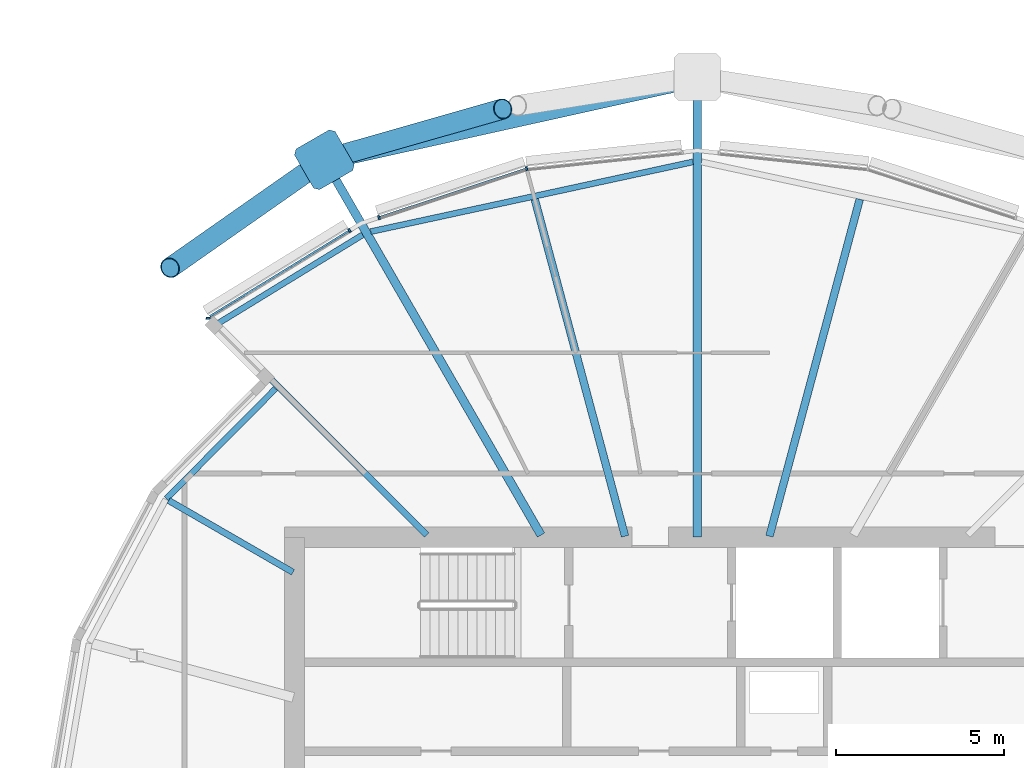
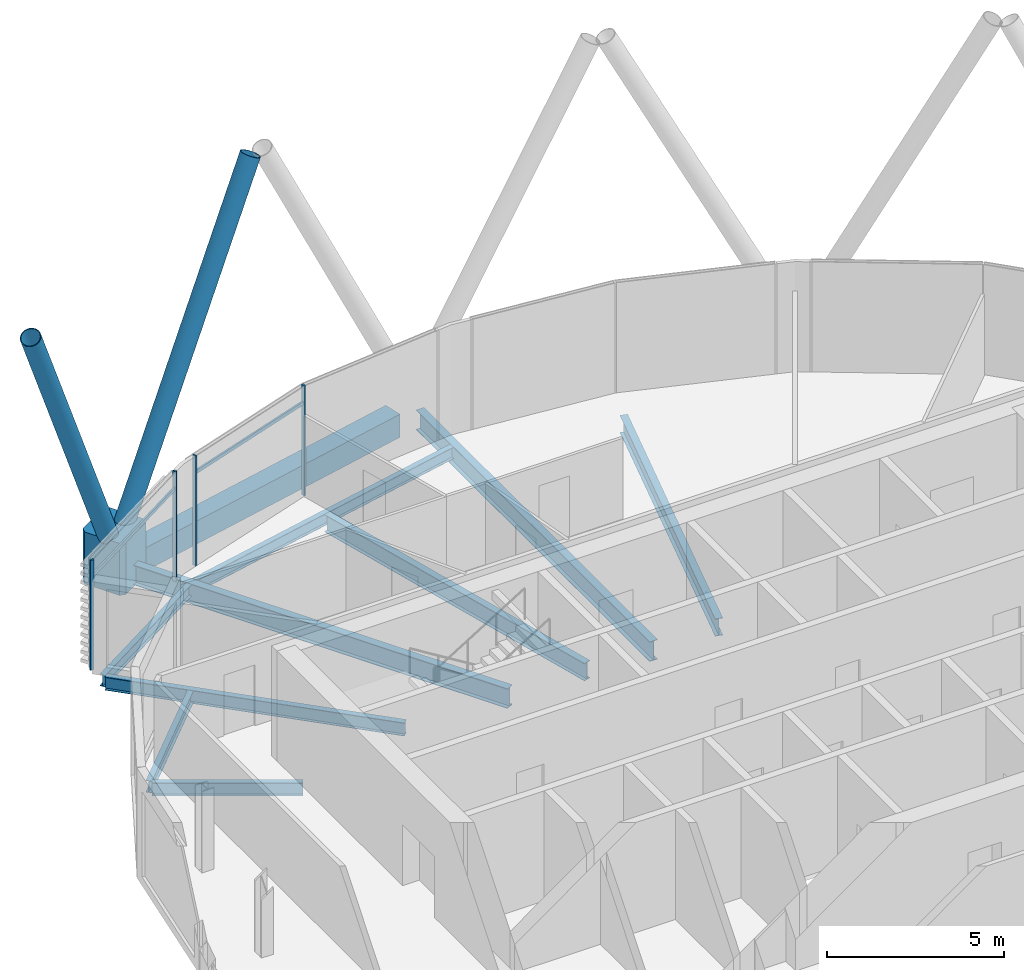
# One storey, part 10 of 35: 10 beams, 9 members, 1 element without a shape of its own.
"""IFC4 building model written with IfcOpenShell, lengths in metres."""

import ifcopenshell
import ifcopenshell.guid

model = None  # the IFC model being written
_history = None  # IfcOwnerHistory: only IFC2X3 demands one
_inside = {}  # id of a spatial element -> (the spatial element, [elements in it])
_under = {}  # id of a project, library or spatial element -> (it, [spatial elements below it])
_declared = {}  # id of a project -> (the project, [libraries it declares])
_typed = {}  # id of a type object -> (the type object, [elements of that type])
_made_of = {}  # id of a material, layer set ... -> (it, [elements and type objects made of it])


def new_model(schema):
    """Start an empty IFC model of exactly this schema.

    Asked for "IFC4X3", IfcOpenShell would pick the latest addendum, in which some entities
    have other attributes; the version numbers below select the first issue.
    IFC2X3 requires an IfcOwnerHistory on every rooted entity: one is made here for all.
    """
    global model, _history
    if schema == "IFC4X3":
        model = ifcopenshell.file(schema_version=(4, 3, 0, 0))
    else:
        model = ifcopenshell.file(schema=schema)
    _inside.clear()
    _under.clear()
    _declared.clear()
    _typed.clear()
    _made_of.clear()
    _history = None
    if model.schema == "IFC2X3":
        org = make("IfcOrganization", Name="unknown")
        user = make(
            "IfcPersonAndOrganization",
            ThePerson=make("IfcPerson", FamilyName="unknown"),
            TheOrganization=org,
        )
        app = make(
            "IfcApplication",
            ApplicationDeveloper=org,
            Version="unknown",
            ApplicationFullName="unknown",
            ApplicationIdentifier="unknown",
        )
        _history = make(
            "IfcOwnerHistory",
            OwningUser=user,
            OwningApplication=app,
            ChangeAction="ADDED",
            CreationDate=0,
        )
    return model


def make(cls, **values):
    """One entity of the class cls with the attributes given. An attribute that is None is left unset."""
    return model.create_entity(
        cls, **{name: value for name, value in values.items() if value is not None}
    )


def rooted(cls, **values):
    """An entity with a GlobalId (a new one), such as an element, a storey or a relation."""
    return make(cls, GlobalId=ifcopenshell.guid.new(), OwnerHistory=_history, **values)


def si_unit(unit_type, name, prefix=None):
    """IfcSIUnit, for example si_unit("LENGTHUNIT", "METRE", prefix="MILLI")."""
    return make("IfcSIUnit", UnitType=unit_type, Prefix=prefix, Name=name)


def assignment(units):
    """IfcUnitAssignment: the units of a project."""
    return None if units is None else make("IfcUnitAssignment", Units=units)


def point(xyz):
    """IfcCartesianPoint."""
    return None if xyz is None else make("IfcCartesianPoint", Coordinates=xyz)


def direction(xyz):
    """IfcDirection."""
    return None if xyz is None else make("IfcDirection", DirectionRatios=xyz)


def frame(location, z_axis=None, x_axis=None):
    """IfcAxis2Placement3D, a coordinate frame: its origin and axes. An axis left out is left unset."""
    return make(
        "IfcAxis2Placement3D",
        Location=point(location),
        Axis=direction(z_axis),
        RefDirection=direction(x_axis),
    )


def frame_2d(location, x_axis=None):
    """IfcAxis2Placement2D, a coordinate frame in the plane: its origin and x axis."""
    return make(
        "IfcAxis2Placement2D", Location=point(location), RefDirection=direction(x_axis)
    )


def origin():
    """The frame at (0, 0, 0) with its axes left unset."""
    return frame((0.0, 0.0, 0.0))


def origin_2d():
    """The frame at (0, 0) in the plane with its x axis left unset."""
    return frame_2d((0.0, 0.0))


def place(relative_to, where):
    """IfcLocalPlacement: puts the frame where relative to a parent placement (None: the world)."""
    return make(
        "IfcLocalPlacement", PlacementRelTo=relative_to, RelativePlacement=where
    )


def context(
    kind, dimensions, precision=None, world=None, true_north=None, identifier=None
):
    """IfcGeometricRepresentationContext, for example the 3D "Model" context."""
    return make(
        "IfcGeometricRepresentationContext",
        ContextIdentifier=identifier,
        ContextType=kind,
        CoordinateSpaceDimension=dimensions,
        Precision=precision,
        WorldCoordinateSystem=world,
        TrueNorth=true_north,
    )


def subcontext(parent, identifier, kind, view, scale=None):
    """IfcGeometricRepresentationSubContext, for example "Body" below "Model"."""
    return make(
        "IfcGeometricRepresentationSubContext",
        ContextIdentifier=identifier,
        ContextType=kind,
        ParentContext=parent,
        TargetScale=scale,
        TargetView=view,
    )


def project(units=None, contexts=None):
    """IfcProject with its units and contexts."""
    return rooted(
        "IfcProject",
        Name="project",
        RepresentationContexts=contexts,
        UnitsInContext=assignment(units),
    )


def spatial(cls, under=None, at=None, **own):
    """A site, building, storey or space (cls), placed at a placement, below another one or the project."""
    s = rooted(cls, ObjectPlacement=at, **own)
    if under is not None:
        _under.setdefault(under.id(), (under, []))[1].append(s)
    return s


def polyline(points):
    """IfcPolyline through the points."""
    return make("IfcPolyline", Points=[point(p) for p in points])


def profile(cls, at=None, kind="AREA", **sizes):
    """A parametric profile (cls). Its sizes go by their IFC names, for example OverallWidth=200.0."""
    return make(cls, ProfileType=kind, Position=at, **sizes)


def rectangle(**sizes):
    """IfcRectangleProfileDef."""
    return profile("IfcRectangleProfileDef", **sizes)


def hollow_rectangle(**sizes):
    """IfcRectangleHollowProfileDef."""
    return profile("IfcRectangleHollowProfileDef", **sizes)


def hollow_circle(**sizes):
    """IfcCircleHollowProfileDef."""
    return profile("IfcCircleHollowProfileDef", **sizes)


def i_section(**sizes):
    """IfcIShapeProfileDef."""
    return profile("IfcIShapeProfileDef", **sizes)


def outline(outer, holes=None, kind="AREA"):
    """IfcArbitraryClosedProfileDef: a profile drawn as a closed curve; with holes, ...WithVoids."""
    if holes is None:
        return make("IfcArbitraryClosedProfileDef", ProfileType=kind, OuterCurve=outer)
    return make(
        "IfcArbitraryProfileDefWithVoids",
        ProfileType=kind,
        OuterCurve=outer,
        InnerCurves=holes,
    )


def extrude(swept, where, along, depth):
    """IfcExtrudedAreaSolid: the profile swept, set in the frame where, extruded along a direction by depth."""
    return make(
        "IfcExtrudedAreaSolid",
        SweptArea=swept,
        Position=where,
        ExtrudedDirection=direction(along),
        Depth=depth,
    )


def shape(context_of_items, identifier, shape_type, items):
    """IfcShapeRepresentation: the items that make up one representation, for example the "Body"."""
    return make(
        "IfcShapeRepresentation",
        ContextOfItems=context_of_items,
        RepresentationIdentifier=identifier,
        RepresentationType=shape_type,
        Items=items,
    )


def material(Name=None, Category=None):
    """IfcMaterial."""
    return make("IfcMaterial", Name=Name, Category=Category)


def material_profile(
    of_material, cross_section, Name=None, Category=None, Priority=None
):
    """IfcMaterialProfile: a cross section and its material."""
    return make(
        "IfcMaterialProfile",
        Name=Name,
        Material=of_material,
        Profile=cross_section,
        Priority=Priority,
        Category=Category,
    )


def profile_set(profiles, Name=None, composite=None):
    """IfcMaterialProfileSet."""
    return make(
        "IfcMaterialProfileSet",
        Name=Name,
        MaterialProfiles=profiles,
        CompositeProfile=composite,
    )


def made_of(thing, what):
    """Note that an element or type object is made of a material, layer set ...; save() writes the relation."""
    if what is not None:
        _made_of.setdefault(what.id(), (what, []))[1].append(thing)
    return thing


def type_object(cls, material=None, **own):
    """A type object (cls), such as IfcWallType, which elements share."""
    return made_of(rooted(cls, **own), material)


def element(
    cls,
    number,
    at=None,
    inside=None,
    cuts=None,
    type_object=None,
    material=None,
    context=None,
    identifier="Body",
    shape_type=None,
    held_by="IfcProductDefinitionShape",
    body=None,
    shapes=None,
    **own,
):
    """One element of the class cls, such as IfcWall. Its Tag is "e" and its number.

    at: its placement. inside: the storey or other place that contains it. cuts: it is an
    opening in that element (IfcRelVoidsElement). A single representation is given by context,
    identifier, shape_type and body (its items); several are given by shapes. held_by: the class
    of the entity that holds the representations. save() writes the other relations.
    """
    e = rooted(cls, Tag="e%d" % number, ObjectPlacement=at, **own)
    if body is not None:
        shapes = [shape(context, identifier, shape_type, body)]
    if shapes is not None:
        e.Representation = make(held_by, Representations=shapes)
    if inside is not None:
        _inside.setdefault(inside.id(), (inside, []))[1].append(e)
    if cuts is not None:
        rooted(
            "IfcRelVoidsElement", RelatingBuildingElement=cuts, RelatedOpeningElement=e
        )
    if type_object is not None:
        _typed.setdefault(type_object.id(), (type_object, []))[1].append(e)
    return made_of(e, material)


def aggregate(whole, parts):
    """IfcRelAggregates: a whole, such as a stair, and the parts it consists of."""
    return rooted("IfcRelAggregates", RelatingObject=whole, RelatedObjects=parts)


def save(model, path):
    """Write the relations noted so far, then the file.

    IfcRelAggregates (storeys below a building ...), IfcRelContainedInSpatialStructure (elements
    in a storey), IfcRelDefinesByType, IfcRelAssociatesMaterial and IfcRelDeclares: one each for
    every whole, place, type object, material and project.
    """
    for whole, parts in _under.values():
        aggregate(whole, parts)
    for where, things in _inside.values():
        rooted(
            "IfcRelContainedInSpatialStructure",
            RelatedElements=things,
            RelatingStructure=where,
        )
    for kind, things in _typed.values():
        rooted("IfcRelDefinesByType", RelatedObjects=things, RelatingType=kind)
    for what, things in _made_of.values():
        rooted("IfcRelAssociatesMaterial", RelatedObjects=things, RelatingMaterial=what)
    for by, libraries in _declared.values():
        rooted("IfcRelDeclares", RelatingContext=by, RelatedDefinitions=libraries)
    model.write(path)


model = new_model("IFC4")

# Units and contexts
model_context = context("Model", 3, precision=1e-05, world=origin(), true_north=direction((0.0, 1.0)))
body_context = subcontext(model_context, "Body", "Model", "MODEL_VIEW")
ifc_project = project(units=[si_unit("LENGTHUNIT", "METRE"), si_unit("AREAUNIT", "SQUARE_METRE"), si_unit("VOLUMEUNIT", "CUBIC_METRE"), si_unit("PLANEANGLEUNIT", "RADIAN"), si_unit("MASSUNIT", "GRAM", prefix="KILO")], contexts=[model_context])

# Site, building, storey
site_placement = place(None, origin())
site = spatial("IfcSite", under=ifc_project, at=site_placement, CompositionType="ELEMENT")
building_placement = place(site_placement, origin())
building = spatial("IfcBuilding", under=site, at=building_placement, Name="Rimbun Link Towers", CompositionType="ELEMENT")
storey_placement = place(building_placement, frame((0.0, 0.0, 181.699951171875)))
storey = spatial("IfcBuildingStorey", under=building, at=storey_placement, Name="L44", CompositionType="ELEMENT", Elevation=181.699951171875)

# Curtain wall, members
ifc_material_1 = material(Name="Aluminium 6063-T6 and low-iron glass", Category="aluminium")
curtain_wall_type = type_object("IfcCurtainWallType", Name="CW1-Z3 unitised vision wall (zone 3)", PredefinedType="NOTDEFINED", material=ifc_material_1)
curtain_wall_placement = place(storey_placement, origin())
curtain_wall = element("IfcCurtainWall", 1, at=curtain_wall_placement, inside=storey, type_object=curtain_wall_type, Name="CW1 L44 T1", PredefinedType="NOTDEFINED")
ifc_material_2 = material(Name="Aluminium 6063-T6", Category="aluminium")
ifc_material_profile_1 = material_profile(ifc_material_2, rectangle(XDim=0.1201171875, YDim=0.06005859375, at=origin_2d()), Name="MULLION 60X120")
ifc_profile_set_1 = profile_set([ifc_material_profile_1], Name="Aluminium 6063-T6")
member_type_1 = type_object("IfcMemberType", Name="CW1 mullion 60X120", PredefinedType="MULLION", material=ifc_profile_set_1)
member_1_placement = place(storey_placement, frame((-36.835205078125, 18.989501953125, 0.0), z_axis=(0.0, 0.0, 1.0), x_axis=(-0.210876961602, 0.977512612228, 0.0)))
member_1 = element("IfcMember", 2, at=member_1_placement, type_object=member_type_1, Name="CW1 mullion", PredefinedType="MULLION", context=body_context, shape_type="SweptSolid", body=[
    extrude(rectangle(XDim=0.1201171875, YDim=0.06005859375, at=origin_2d()), origin(), (0.0, 0.0, 1.0), 3.800048828125),
])
member_2_placement = place(storey_placement, frame((-41.23583984375, 17.531494140625, 0.0), z_axis=(0.0, 0.0, 1.0), x_axis=(-0.314564968894, 0.949235945561, 0.0)))
member_2 = element("IfcMember", 3, at=member_2_placement, type_object=member_type_1, Name="CW1 mullion", PredefinedType="MULLION", context=body_context, shape_type="SweptSolid", body=[
    extrude(rectangle(XDim=0.1201171875, YDim=0.06005859375, at=origin_2d()), origin(), (0.0, 0.0, 1.0), 3.800048828125),
])
member_3_placement = place(storey_placement, frame((-46.329345703125, 14.52685546875, 0.0), z_axis=(0.0, 0.0, 1.0), x_axis=(-0.993119103742, 0.117108692178, 0.0)))
member_3 = element("IfcMember", 4, at=member_3_placement, type_object=member_type_1, Name="CW1 mullion", PredefinedType="MULLION", context=body_context, shape_type="SweptSolid", body=[
    extrude(rectangle(XDim=0.1201171875, YDim=0.06005859375, at=origin_2d()), origin(), (0.0, 0.0, 1.0), 3.800048828125),
])
member_4_placement = place(storey_placement, frame((-42.111328125, 17.1435546875, 0.0), z_axis=(0.0, 0.0, 1.0), x_axis=(-0.523234516531, 0.852188735381, 0.0)))
member_4 = element("IfcMember", 5, at=member_4_placement, type_object=member_type_1, Name="CW1 mullion", PredefinedType="MULLION", context=body_context, shape_type="SweptSolid", body=[
    extrude(rectangle(XDim=0.1201171875, YDim=0.06005859375, at=origin_2d()), origin(), (0.0, 0.0, 1.0), 3.800048828125),
])
ifc_material_3 = material(Name="Aluminium 6063-T6", Category="aluminium")
ifc_material_profile_2 = material_profile(ifc_material_3, rectangle(XDim=0.06005859375, YDim=0.1201171875, at=origin_2d()), Name="TRANSOM 60X120")
ifc_profile_set_2 = profile_set([ifc_material_profile_2], Name="Aluminium 6063-T6")
member_type_2 = type_object("IfcMemberType", Name="CW1 transom 60X120", PredefinedType="USERDEFINED", material=ifc_profile_set_2)
member_5_placement = place(storey_placement, frame((-41.206787109375, 17.5390625, 3.199951171875), z_axis=(0.949232156623, 0.314576402218, 0.0), x_axis=(-0.314576402218, 0.949232156623, 0.0)))
member_5 = element("IfcMember", 6, at=member_5_placement, type_object=member_type_2, Name="CW1 transom", ObjectType="TRANSOM", PredefinedType="USERDEFINED", context=body_context, shape_type="SweptSolid", body=[
    extrude(rectangle(XDim=0.06005859375, YDim=0.1201171875, at=origin_2d()), origin(), (0.0, 0.0, 1.0), 4.569580078125),
])
member_6_placement = place(storey_placement, frame((-46.274658203125, 14.5849609375, 3.199951171875), z_axis=(0.852196394013, 0.523222042761, 0.0), x_axis=(-0.523222042761, 0.852196394013, 0.0)))
member_6 = element("IfcMember", 7, at=member_6_placement, type_object=member_type_2, Name="CW1 transom", ObjectType="TRANSOM", PredefinedType="USERDEFINED", context=body_context, shape_type="SweptSolid", body=[
    extrude(rectangle(XDim=0.06005859375, YDim=0.1201171875, at=origin_2d()), origin(), (0.0, 0.0, 1.0), 4.8564453125),
])
aggregate(curtain_wall, [member_1, member_2, member_3, member_4, member_5, member_6])

# Members
ifc_material_4 = material(Name="Steel S355J2H", Category="steel")
ifc_material_profile_3 = material_profile(ifc_material_4, hollow_circle(Radius=0.3046875, WallThickness=0.02490234375, at=origin_2d()), Name="Diagrid diagonal CHS 610x25")
ifc_profile_set_3 = profile_set([ifc_material_profile_3], Name="Steel S355J2H")
member_type_3 = type_object("IfcMemberType", Name="Diagrid diagonal CHS 610x25", PredefinedType="BRACE", material=ifc_profile_set_3)
member_7_placement = place(storey_placement, frame((-42.6474609375, 19.31201171875, 0.446533203125), z_axis=(0.433306830966, 0.123609335331, 0.892729478878), x_axis=(-0.274325893764, 0.961636783828, 0.0)))
element("IfcMember", 8, at=member_7_placement, inside=storey, type_object=member_type_3, Name="Diagrid diagonal T1 L44-L47 08a", PredefinedType="BRACE", context=body_context, shape_type="SweptSolid", body=[
    extrude(hollow_circle(Radius=0.3046875, WallThickness=0.02490234375, at=origin_2d()), origin(), (0.0, 0.0, 1.0), 11.76953125),
])
member_8_placement = place(storey_placement, frame((-43.05078125, 19.119384765625, 0.445068359375), z_axis=(-0.373562050298, -0.261596800469, 0.889954217116), x_axis=(0.57361445086, -0.819125424928, 0.0)))
element("IfcMember", 9, at=member_8_placement, inside=storey, type_object=member_type_3, Name="Diagrid diagonal T1 L44-L47 08b", PredefinedType="BRACE", context=body_context, shape_type="SweptSolid", body=[
    extrude(hollow_circle(Radius=0.3046875, WallThickness=0.02490234375, at=origin_2d()), origin(), (0.0, 0.0, 1.0), 11.8095703125),
])
ifc_material_5 = material(Name="Cast steel G20Mn5+QT, Rp0.2 300 MPa", Category="steel")
ifc_material_profile_4 = material_profile(ifc_material_5, outline(polyline([(0.699951171875, -0.570068359375), (0.699951171875, 0.570068359375), (0.570068359375, 0.699951171875), (-0.570068359375, 0.699951171875), (-0.699951171875, 0.570068359375), (-0.699951171875, -0.570068359375), (-0.570068359375, -0.699951171875), (0.570068359375, -0.699951171875), (0.699951171875, -0.570068359375)])), Name="NODE 1400x1400")
ifc_profile_set_4 = profile_set([ifc_material_profile_4], Name="Cast steel G20Mn5+QT, Rp0.2 300 MPa")
member_type_4 = type_object("IfcMemberType", Name="Diagrid node cast 1400", PredefinedType="USERDEFINED", material=ifc_profile_set_4)
member_9_placement = place(storey_placement, frame((-42.864013671875, 19.250244140625, -0.89990234375), z_axis=(0.0, 0.0, 1.0), x_axis=(-0.5, 0.866025403784, 0.0)))
element("IfcMember", 10, at=member_9_placement, inside=storey, type_object=member_type_4, Name="Diagrid node L44 08", ObjectType="Diagrid node", PredefinedType="USERDEFINED", context=body_context, shape_type="SweptSolid", body=[
    extrude(outline(polyline([(0.699951171875, -0.570068359375), (0.699951171875, 0.570068359375), (0.570068359375, 0.699951171875), (-0.570068359375, 0.699951171875), (-0.699951171875, 0.570068359375), (-0.699951171875, -0.570068359375), (-0.570068359375, -0.699951171875), (0.570068359375, -0.699951171875), (0.699951171875, -0.570068359375)])), origin(), (0.0, 0.0, 1.0), 1.800048828125),
])

# Beams
ifc_material_6 = material(Name="Steel S355J2", Category="steel")
ifc_material_profile_5 = material_profile(ifc_material_6, hollow_rectangle(XDim=0.60009765625, YDim=0.800048828125, WallThickness=0.0400390625, at=origin_2d()), Name="Exoskeleton ring girder BOX 600x800x40")
ifc_profile_set_5 = profile_set([ifc_material_profile_5], Name="Steel S355J2")
beam_type_1 = type_object("IfcBeamType", Name="Exoskeleton ring girder BOX 600x800x40", PredefinedType="BEAM", material=ifc_profile_set_5)
beam_1_placement = place(storey_placement, frame((-32.433349609375, 21.563720703125, -0.56005859375), z_axis=(-0.976276158322, -0.216529126661, 0.0), x_axis=(0.216529126661, -0.976276158322, 0.0)))
element("IfcBeam", 11, at=beam_1_placement, inside=storey, type_object=beam_type_1, Name="Exoskeleton ring girder L44 03", PredefinedType="BEAM", context=body_context, shape_type="SweptSolid", body=[
    extrude(hollow_rectangle(XDim=0.60009765625, YDim=0.800048828125, WallThickness=0.0400390625, at=origin_2d()), origin(), (0.0, 0.0, 1.0), 9.984130859375),
])
ifc_material_7 = material(Name="Steel S355J2", Category="steel")
ifc_material_profile_6 = material_profile(ifc_material_7, i_section(OverallWidth=0.177978515625, OverallDepth=0.406494140625, WebThickness=0.0078125, FlangeThickness=0.0126953125, at=origin_2d()), Name="UB 406x178x60")
ifc_profile_set_6 = profile_set([ifc_material_profile_6], Name="Steel S355J2")
beam_type_2 = type_object("IfcBeamType", Name="UB 406x178x60", PredefinedType="BEAM", material=ifc_profile_set_6)
beam_2_placement = place(storey_placement, frame((-31.877685546875, 19.186279296875, -0.353271484375), z_axis=(-0.977389603909, -0.211446357665, 0.0), x_axis=(0.211446357665, -0.977389603909, 0.0)))
element("IfcBeam", 12, at=beam_2_placement, inside=storey, type_object=beam_type_2, Name="Edge beam T1 L44 06-08", PredefinedType="BEAM", context=body_context, shape_type="SweptSolid", body=[
    extrude(i_section(OverallWidth=0.177978515625, OverallDepth=0.406494140625, WebThickness=0.0078125, FlangeThickness=0.0126953125, at=origin_2d()), origin(), (0.0, 0.0, 1.0), 9.82470703125),
])
beam_3_placement = place(storey_placement, frame((-41.722412109375, 17.012451171875, -0.353271484375), z_axis=(-0.852717766496, -0.522371908416, 0.0), x_axis=(0.522371908416, -0.852717766496, 0.0)))
element("IfcBeam", 13, at=beam_3_placement, inside=storey, type_object=beam_type_2, Name="Edge beam T1 L44 08", PredefinedType="BEAM", context=body_context, shape_type="SweptSolid", body=[
    extrude(i_section(OverallWidth=0.177978515625, OverallDepth=0.406494140625, WebThickness=0.0078125, FlangeThickness=0.0126953125, at=origin_2d()), origin(), (0.0, 0.0, 1.0), 5.11865234375),
])
beam_4_placement = place(storey_placement, frame((-44.316650390625, 12.430419921875, -0.353271484375), z_axis=(-0.704407222638, -0.709796072612, 0.0), x_axis=(0.709796072612, -0.704407222638, 0.0)))
element("IfcBeam", 14, at=beam_4_placement, inside=storey, type_object=beam_type_2, Name="Edge beam T1 L44 09 recess", PredefinedType="BEAM", context=body_context, shape_type="SweptSolid", body=[
    extrude(i_section(OverallWidth=0.177978515625, OverallDepth=0.406494140625, WebThickness=0.0078125, FlangeThickness=0.0126953125, at=origin_2d()), origin(), (0.0, 0.0, 1.0), 4.62109375),
])
ifc_material_8 = material(Name="Steel S355J2", Category="steel")
ifc_material_profile_7 = material_profile(ifc_material_8, i_section(OverallWidth=0.18994140625, OverallDepth=0.453369140625, WebThickness=0.008544921875, FlangeThickness=0.0126953125, at=origin_2d()), Name="UB 457x191x67")
ifc_profile_set_7 = profile_set([ifc_material_profile_7], Name="Steel S355J2")
beam_type_3 = type_object("IfcBeamType", Name="UB 457x191x67", PredefinedType="BEAM", material=ifc_profile_set_7)
beam_5_placement = place(storey_placement, frame((-39.81787109375, 8.06787109375, -0.376708984375), z_axis=(-0.707106781187, 0.707106781187, 0.0), x_axis=(-0.707106781187, -0.707106781187, 0.0)))
element("IfcBeam", 15, at=beam_5_placement, inside=storey, type_object=beam_type_3, Name="Radial beam T1 L44 09", PredefinedType="BEAM", context=body_context, shape_type="SweptSolid", body=[
    extrude(i_section(OverallWidth=0.18994140625, OverallDepth=0.453369140625, WebThickness=0.008544921875, FlangeThickness=0.0126953125, at=origin_2d()), origin(), (0.0, 0.0, 1.0), 8.77490234375),
])
beam_6_placement = place(storey_placement, frame((-43.79833984375, 6.9560546875, -0.376708984375), z_axis=(-0.866007866579, 0.5000303741, 0.0), x_axis=(-0.5000303741, -0.866007866579, 0.0)))
element("IfcBeam", 16, at=beam_6_placement, inside=storey, type_object=beam_type_3, Name="Radial beam T1 L44 10", PredefinedType="BEAM", context=body_context, shape_type="SweptSolid", body=[
    extrude(i_section(OverallWidth=0.18994140625, OverallDepth=0.453369140625, WebThickness=0.008544921875, FlangeThickness=0.0126953125, at=origin_2d()), origin(), (0.0, 0.0, 1.0), 4.278076171875),
])
ifc_material_9 = material(Name="Steel S355J2", Category="steel")
ifc_material_profile_8 = material_profile(ifc_material_9, i_section(OverallWidth=0.2275390625, OverallDepth=0.6025390625, WebThickness=0.010498046875, FlangeThickness=0.014892578125, at=origin_2d()), Name="UB 610x229x101")
ifc_profile_set_8 = profile_set([ifc_material_profile_8], Name="Steel S355J2")
beam_type_4 = type_object("IfcBeamType", Name="UB 610x229x101", PredefinedType="BEAM", material=ifc_profile_set_8)
for number, where, z_axis, x_axis, name in (
    (17, (-29.598388671875, 8.030517578125, -0.451171875), (0.258837406585, 0.965920906158, 0.0), (-0.965920906158, 0.258837406585, 0.0), "Radial beam T1 L44 05"),
    (18, (-33.901611328125, 8.030517578125, -0.451171875), (-0.258837406585, 0.965920906158, 0.0), (-0.965920906158, -0.258837406585, 0.0), "Radial beam T1 L44 07"),
):
    element("IfcBeam", number, at=place(storey_placement, frame(where, z_axis=z_axis, x_axis=x_axis)), inside=storey, type_object=beam_type_4, Name=name, PredefinedType="BEAM", context=body_context, shape_type="SweptSolid", body=[
        extrude(i_section(OverallWidth=0.2275390625, OverallDepth=0.6025390625, WebThickness=0.010498046875, FlangeThickness=0.014892578125, at=origin_2d()), origin(), (0.0, 0.0, 1.0), 10.39794921875),
    ])
ifc_material_10 = material(Name="Steel S355J2", Category="steel")
ifc_material_profile_9 = material_profile(ifc_material_10, i_section(OverallWidth=0.253662109375, OverallDepth=0.68359375, WebThickness=0.012451171875, FlangeThickness=0.01904296875, at=origin_2d()), Name="UB 686x254x140")
ifc_profile_set_9 = profile_set([ifc_material_profile_9], Name="Steel S355J2")
beam_type_5 = type_object("IfcBeamType", Name="UB 686x254x140", PredefinedType="BEAM", material=ifc_profile_set_9)
beam_7_placement = place(storey_placement, frame((-31.75, 8.0009765625, -0.49169921875), z_axis=(0.0, 1.0, 0.0), x_axis=(-1.0, 0.0, 0.0)))
element("IfcBeam", 19, at=beam_7_placement, inside=storey, type_object=beam_type_5, Name="Radial beam T1 L44 06", PredefinedType="BEAM", context=body_context, shape_type="SweptSolid", body=[
    extrude(i_section(OverallWidth=0.253662109375, OverallDepth=0.68359375, WebThickness=0.012451171875, FlangeThickness=0.01904296875, at=origin_2d()), origin(), (0.0, 0.0, 1.0), 13.214111328125),
])
beam_8_placement = place(storey_placement, frame((-36.406005859375, 8.064208984375, -0.49169921875), z_axis=(-0.499987977232, 0.866032345022, 0.0), x_axis=(-0.866032345022, -0.499987977232, 0.0)))
element("IfcBeam", 20, at=beam_8_placement, inside=storey, type_object=beam_type_5, Name="Radial beam T1 L44 08", PredefinedType="BEAM", context=body_context, shape_type="SweptSolid", body=[
    extrude(i_section(OverallWidth=0.253662109375, OverallDepth=0.68359375, WebThickness=0.012451171875, FlangeThickness=0.01904296875, at=origin_2d()), origin(), (0.0, 0.0, 1.0), 12.416259765625),
])

save(model, "model.ifc")
